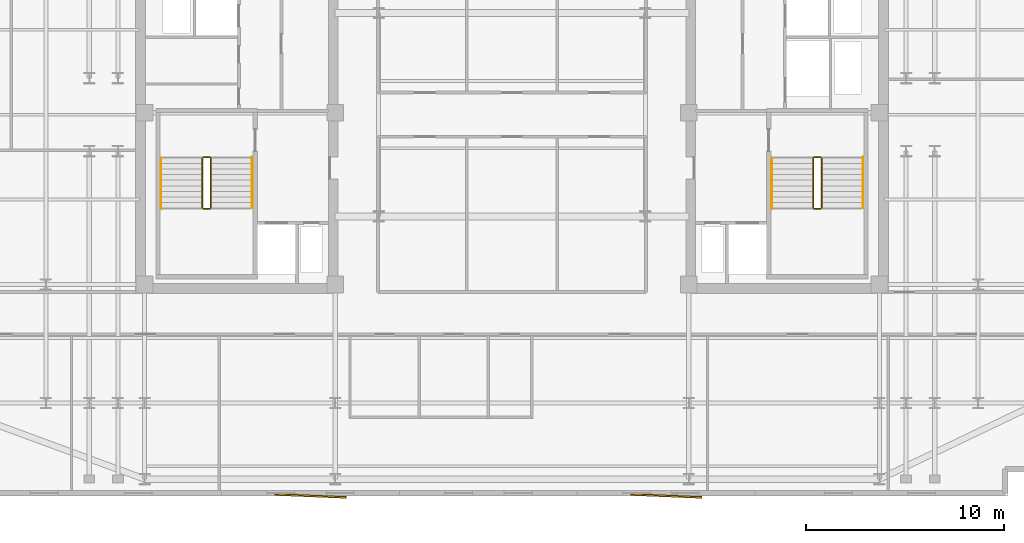
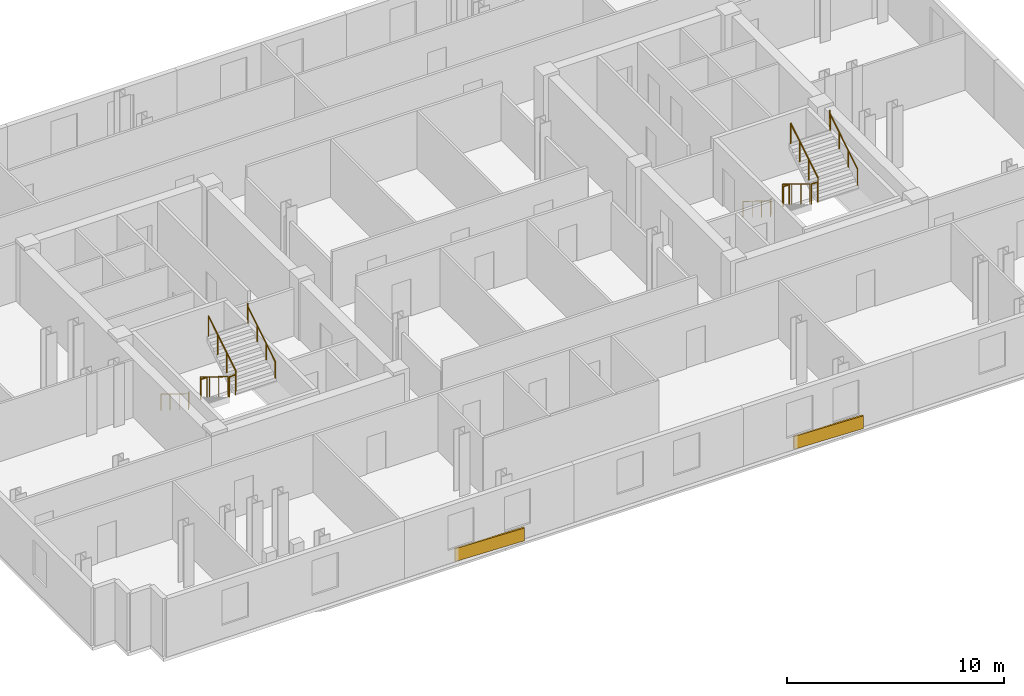
# One storey, part 8 of 9: 12 railings, 2 coverings.
"""IFC4 building model written with IfcOpenShell, lengths in metres."""

from ifc_helpers import new_model, si_unit, direction, frame, origin, origin_2d, place, context, subcontext, project, spatial, rectangle, circle, extrude, material, layer, layer_set, type_object, element, save


model = new_model("IFC4")

# Units and contexts
model_context = context("Model", 3, precision=1e-05, world=origin(), true_north=direction((0.0, 1.0)))
body_context = subcontext(model_context, "Body", "Model", "MODEL_VIEW")
ifc_project = project(units=[si_unit("LENGTHUNIT", "METRE"), si_unit("AREAUNIT", "SQUARE_METRE"), si_unit("VOLUMEUNIT", "CUBIC_METRE"), si_unit("PLANEANGLEUNIT", "RADIAN"), si_unit("MASSUNIT", "GRAM", prefix="KILO")], contexts=[model_context])

# Site, building, storey
site_placement = place(None, origin())
site = spatial("IfcSite", under=ifc_project, at=site_placement, CompositionType="ELEMENT")
building_placement = place(site_placement, origin())
building = spatial("IfcBuilding", under=site, at=building_placement, Name="Velakula Bourse", CompositionType="ELEMENT")
storey_placement = place(building_placement, frame((0.0, 0.0, 229.199951171875)))
storey = spatial("IfcBuildingStorey", under=building, at=storey_placement, Name="L62", CompositionType="ELEMENT", Elevation=229.199951171875)

# Coverings
ifc_material_1 = material(Name="Red kilned clay facing brick masonry", Category="masonry")
ifc_layer = layer(ifc_material_1, 0.090087890625, Name="Red kilned clay facing brick masonry", Category="masonry")
ifc_layer_set = layer_set([ifc_layer], Name="Red kilned clay facing brick masonry")
covering_type = type_object("IfcCoveringType", Name="COV-BRK-FOLD-90", PredefinedType="CLADDING", material=ifc_layer_set)
for number, where, z_axis, x_axis, name in (
    (1, (-10.199951171875, -19.300048828125, 0.0), (0.0, 0.0, 1.0), (0.999158993058, -0.041003738744, 0.0), "L62 Folded Brick Facade Cladding Panel S-B2"),
    (2, (7.800048828125, -19.300048828125, 0.0), (0.0, 0.0, 1.0), (0.999158993058, -0.041003738744, 0.0), "L62 Folded Brick Facade Cladding Panel S-B4"),
):
    element("IfcCovering", number, at=place(storey_placement, frame(where, z_axis=z_axis, x_axis=x_axis)), inside=storey, type_object=covering_type, Name=name, PredefinedType="CLADDING", context=body_context, shape_type="SweptSolid", body=[
        extrude(rectangle(XDim=3.60009765625, YDim=0.090087890625, at=origin_2d()), origin(), (0.0, 0.0, 1.0), 0.719970703125),
    ])

# Railings
ifc_material_2 = material(Name="Brushed grade 316 stainless steel", Category="steel")
railing_type_1 = type_object("IfcRailingType", Name="RLG-STAIR-GUARD-1150", PredefinedType="BALUSTRADE", material=ifc_material_2)
railing_1_placement = place(storey_placement, frame((-15.672119140625, -2.199951171875, 0.172607421875)))
element("IfcRailing", 3, at=railing_1_placement, inside=storey, type_object=railing_type_1, Name="L62 ST-W1 stair guard 1", PredefinedType="BALUSTRADE", context=body_context, shape_type="SweptSolid", body=[
    extrude(circle(Radius=0.02490234375, at=origin_2d()), frame((0.0, 0.0, 1.125), z_axis=(0.0, -0.851400495292, 0.524516154772), x_axis=(1.0, 0.0, 0.0)), (0.0, 0.0, 1.0), 2.9599609375),
    extrude(circle(Radius=0.02099609375, at=origin_2d()), origin(), (0.0, 0.0, 1.0), 1.099853515625),
    extrude(circle(Radius=0.02099609375, at=origin_2d()), frame((0.0, -0.840087890625, 0.517578125)), (0.0, 0.0, 1.0), 1.099853515625),
    extrude(circle(Radius=0.02099609375, at=origin_2d()), frame((0.0, -1.679931640625, 1.034912109375)), (0.0, 0.0, 1.0), 1.099853515625),
    extrude(circle(Radius=0.02099609375, at=origin_2d()), frame((0.0, -2.52001953125, 1.552490234375)), (0.0, 0.0, 1.0), 1.099853515625),
])
railing_2_placement = place(storey_placement, frame((-15.6220703125, -4.77001953125, 1.72509765625)))
element("IfcRailing", 4, at=railing_2_placement, inside=storey, type_object=railing_type_1, Name="L62 ST-W1 stair guard 2", PredefinedType="BALUSTRADE", context=body_context, shape_type="SweptSolid", body=[
    extrude(circle(Radius=0.02490234375, at=origin_2d()), frame((0.0, 0.0, 1.125), z_axis=(1.0, 0.0, 0.0), x_axis=(0.0, 1.0, 0.0)), (0.0, 0.0, 1.0), 0.323974609375),
    extrude(circle(Radius=0.02099609375, at=origin_2d()), origin(), (0.0, 0.0, 1.0), 1.099853515625),
    extrude(circle(Radius=0.02099609375, at=origin_2d()), frame((0.323974609375, 0.0, 0.0)), (0.0, 0.0, 1.0), 1.099853515625),
])
railing_3_placement = place(storey_placement, frame((-15.248046875, -4.719970703125, 1.8974609375)))
element("IfcRailing", 5, at=railing_3_placement, inside=storey, type_object=railing_type_1, Name="L62 ST-W1 stair guard 3", PredefinedType="BALUSTRADE", context=body_context, shape_type="SweptSolid", body=[
    extrude(circle(Radius=0.02490234375, at=origin_2d()), frame((0.0, 0.0, 1.125), z_axis=(0.0, 0.851400495292, 0.524516154772), x_axis=(-1.0, 0.0, 0.0)), (0.0, 0.0, 1.0), 2.9599609375),
    extrude(circle(Radius=0.02099609375, at=origin_2d()), origin(), (0.0, 0.0, 1.0), 1.099853515625),
    extrude(circle(Radius=0.02099609375, at=origin_2d()), frame((0.0, 0.840087890625, 0.517578125)), (0.0, 0.0, 1.0), 1.099853515625),
    extrude(circle(Radius=0.02099609375, at=origin_2d()), frame((0.0, 1.679931640625, 1.034912109375)), (0.0, 0.0, 1.0), 1.099853515625),
    extrude(circle(Radius=0.02099609375, at=origin_2d()), frame((0.0, 2.52001953125, 1.552490234375)), (0.0, 0.0, 1.0), 1.099853515625),
])
railing_4_placement = place(storey_placement, frame((-15.6220703125, -2.14990234375, 0.0)))
element("IfcRailing", 6, at=railing_4_placement, inside=storey, type_object=railing_type_1, Name="L62 ST-W1 stair guard 4", PredefinedType="BALUSTRADE", context=body_context, shape_type="SweptSolid", body=[
    extrude(circle(Radius=0.02490234375, at=origin_2d()), frame((0.0, 0.0, 1.125), z_axis=(1.0, 0.0, 0.0), x_axis=(0.0, 1.0, 0.0)), (0.0, 0.0, 1.0), 0.323974609375),
    extrude(circle(Radius=0.02099609375, at=origin_2d()), origin(), (0.0, 0.0, 1.0), 1.099853515625),
    extrude(circle(Radius=0.02099609375, at=origin_2d()), frame((0.323974609375, 0.0, 0.0)), (0.0, 0.0, 1.0), 1.099853515625),
])
railing_5_placement = place(storey_placement, frame((15.248046875, -2.199951171875, 0.172607421875)))
element("IfcRailing", 7, at=railing_5_placement, inside=storey, type_object=railing_type_1, Name="L62 ST-E1 stair guard 1", PredefinedType="BALUSTRADE", context=body_context, shape_type="SweptSolid", body=[
    extrude(circle(Radius=0.02490234375, at=origin_2d()), frame((0.0, 0.0, 1.125), z_axis=(0.0, -0.851400495292, 0.524516154772), x_axis=(1.0, 0.0, 0.0)), (0.0, 0.0, 1.0), 2.9599609375),
    extrude(circle(Radius=0.02099609375, at=origin_2d()), origin(), (0.0, 0.0, 1.0), 1.099853515625),
    extrude(circle(Radius=0.02099609375, at=origin_2d()), frame((0.0, -0.840087890625, 0.517578125)), (0.0, 0.0, 1.0), 1.099853515625),
    extrude(circle(Radius=0.02099609375, at=origin_2d()), frame((0.0, -1.679931640625, 1.034912109375)), (0.0, 0.0, 1.0), 1.099853515625),
    extrude(circle(Radius=0.02099609375, at=origin_2d()), frame((0.0, -2.52001953125, 1.552490234375)), (0.0, 0.0, 1.0), 1.099853515625),
])
railing_6_placement = place(storey_placement, frame((15.298095703125, -4.77001953125, 1.72509765625)))
element("IfcRailing", 8, at=railing_6_placement, inside=storey, type_object=railing_type_1, Name="L62 ST-E1 stair guard 2", PredefinedType="BALUSTRADE", context=body_context, shape_type="SweptSolid", body=[
    extrude(circle(Radius=0.02490234375, at=origin_2d()), frame((0.0, 0.0, 1.125), z_axis=(1.0, 0.0, 0.0), x_axis=(0.0, 1.0, 0.0)), (0.0, 0.0, 1.0), 0.323974609375),
    extrude(circle(Radius=0.02099609375, at=origin_2d()), origin(), (0.0, 0.0, 1.0), 1.099853515625),
    extrude(circle(Radius=0.02099609375, at=origin_2d()), frame((0.323974609375, 0.0, 0.0)), (0.0, 0.0, 1.0), 1.099853515625),
])
railing_7_placement = place(storey_placement, frame((15.672119140625, -4.719970703125, 1.8974609375)))
element("IfcRailing", 9, at=railing_7_placement, inside=storey, type_object=railing_type_1, Name="L62 ST-E1 stair guard 3", PredefinedType="BALUSTRADE", context=body_context, shape_type="SweptSolid", body=[
    extrude(circle(Radius=0.02490234375, at=origin_2d()), frame((0.0, 0.0, 1.125), z_axis=(0.0, 0.851400495292, 0.524516154772), x_axis=(-1.0, 0.0, 0.0)), (0.0, 0.0, 1.0), 2.9599609375),
    extrude(circle(Radius=0.02099609375, at=origin_2d()), origin(), (0.0, 0.0, 1.0), 1.099853515625),
    extrude(circle(Radius=0.02099609375, at=origin_2d()), frame((0.0, 0.840087890625, 0.517578125)), (0.0, 0.0, 1.0), 1.099853515625),
    extrude(circle(Radius=0.02099609375, at=origin_2d()), frame((0.0, 1.679931640625, 1.034912109375)), (0.0, 0.0, 1.0), 1.099853515625),
    extrude(circle(Radius=0.02099609375, at=origin_2d()), frame((0.0, 2.52001953125, 1.552490234375)), (0.0, 0.0, 1.0), 1.099853515625),
])
railing_8_placement = place(storey_placement, frame((15.298095703125, -2.14990234375, 0.0)))
element("IfcRailing", 10, at=railing_8_placement, inside=storey, type_object=railing_type_1, Name="L62 ST-E1 stair guard 4", PredefinedType="BALUSTRADE", context=body_context, shape_type="SweptSolid", body=[
    extrude(circle(Radius=0.02490234375, at=origin_2d()), frame((0.0, 0.0, 1.125), z_axis=(1.0, 0.0, 0.0), x_axis=(0.0, 1.0, 0.0)), (0.0, 0.0, 1.0), 0.323974609375),
    extrude(circle(Radius=0.02099609375, at=origin_2d()), origin(), (0.0, 0.0, 1.0), 1.099853515625),
    extrude(circle(Radius=0.02099609375, at=origin_2d()), frame((0.323974609375, 0.0, 0.0)), (0.0, 0.0, 1.0), 1.099853515625),
])
railing_type_2 = type_object("IfcRailingType", Name="RLG-STAIR-HAND-920", PredefinedType="HANDRAIL", material=ifc_material_2)
railing_9_placement = place(storey_placement, frame((-17.77001953125, -2.199951171875, 0.172607421875)))
element("IfcRailing", 11, at=railing_9_placement, inside=storey, type_object=railing_type_2, Name="L62 ST-W1 stair handrail 1", PredefinedType="HANDRAIL", context=body_context, shape_type="SweptSolid", body=[
    extrude(circle(Radius=0.02099609375, at=origin_2d()), frame((0.0, 0.0, 0.89892578125), z_axis=(0.0, -0.851400495292, 0.524516154772), x_axis=(1.0, 0.0, 0.0)), (0.0, 0.0, 1.0), 2.9599609375),
    extrude(circle(Radius=0.02099609375, at=origin_2d()), frame((0.0, -2.52001953125, 2.451416015625), z_axis=(0.0, -0.226269970362, 0.974064628509), x_axis=(1.0, 0.0, 0.0)), (0.0, 0.0, 1.0), 0.177001953125),
    extrude(circle(Radius=0.02099609375, at=origin_2d()), frame((0.0, -2.56005859375, 2.623779296875), z_axis=(0.0, -1.0, 0.0), x_axis=(1.0, 0.0, 0.0)), (0.0, 0.0, 1.0), 0.0048828125),
    extrude(circle(Radius=0.02099609375, at=origin_2d()), origin(), (0.0, 0.0, 1.0), 0.8779296875),
    extrude(circle(Radius=0.02099609375, at=origin_2d()), frame((0.0, -0.840087890625, 0.517578125)), (0.0, 0.0, 1.0), 0.8779296875),
    extrude(circle(Radius=0.02099609375, at=origin_2d()), frame((0.0, -1.679931640625, 1.034912109375)), (0.0, 0.0, 1.0), 0.8779296875),
    extrude(circle(Radius=0.02099609375, at=origin_2d()), frame((0.0, -2.52001953125, 1.552490234375)), (0.0, 0.0, 1.0), 0.8779296875),
    extrude(circle(Radius=0.02099609375, at=origin_2d()), frame((0.0, -2.56005859375, 1.724853515625)), (0.0, 0.0, 1.0), 0.8779296875),
    extrude(circle(Radius=0.02099609375, at=origin_2d()), frame((0.0, -2.56494140625, 1.724853515625)), (0.0, 0.0, 1.0), 0.8779296875),
])
railing_10_placement = place(storey_placement, frame((-13.14990234375, -4.719970703125, 1.8974609375)))
element("IfcRailing", 12, at=railing_10_placement, inside=storey, type_object=railing_type_2, Name="L62 ST-W1 stair handrail 2", PredefinedType="HANDRAIL", context=body_context, shape_type="SweptSolid", body=[
    extrude(circle(Radius=0.02099609375, at=origin_2d()), frame((0.0, 0.0, 0.89892578125), z_axis=(0.0, 0.851400495292, 0.524516154772), x_axis=(-1.0, 0.0, 0.0)), (0.0, 0.0, 1.0), 2.9599609375),
    extrude(circle(Radius=0.02099609375, at=origin_2d()), frame((0.0, 2.52001953125, 2.451416015625), z_axis=(0.0, 0.22596628056, 0.974135124123), x_axis=(-1.0, 0.0, 0.0)), (0.0, 0.0, 1.0), 0.17724609375),
    extrude(circle(Radius=0.02099609375, at=origin_2d()), frame((0.0, 2.56005859375, 2.6240234375), z_axis=(0.0, 1.0, 0.0), x_axis=(-1.0, 0.0, 0.0)), (0.0, 0.0, 1.0), 0.0048828125),
    extrude(circle(Radius=0.02099609375, at=origin_2d()), origin(), (0.0, 0.0, 1.0), 0.8779296875),
    extrude(circle(Radius=0.02099609375, at=origin_2d()), frame((0.0, 0.840087890625, 0.517578125)), (0.0, 0.0, 1.0), 0.8779296875),
    extrude(circle(Radius=0.02099609375, at=origin_2d()), frame((0.0, 1.679931640625, 1.034912109375)), (0.0, 0.0, 1.0), 0.8779296875),
    extrude(circle(Radius=0.02099609375, at=origin_2d()), frame((0.0, 2.52001953125, 1.552490234375)), (0.0, 0.0, 1.0), 0.8779296875),
    extrude(circle(Radius=0.02099609375, at=origin_2d()), frame((0.0, 2.56005859375, 1.72509765625)), (0.0, 0.0, 1.0), 0.8779296875),
    extrude(circle(Radius=0.02099609375, at=origin_2d()), frame((0.0, 2.56494140625, 1.72509765625)), (0.0, 0.0, 1.0), 0.8779296875),
])
railing_11_placement = place(storey_placement, frame((13.14990234375, -2.199951171875, 0.172607421875)))
element("IfcRailing", 13, at=railing_11_placement, inside=storey, type_object=railing_type_2, Name="L62 ST-E1 stair handrail 1", PredefinedType="HANDRAIL", context=body_context, shape_type="SweptSolid", body=[
    extrude(circle(Radius=0.02099609375, at=origin_2d()), frame((0.0, 0.0, 0.89892578125), z_axis=(0.0, -0.851400495292, 0.524516154772), x_axis=(1.0, 0.0, 0.0)), (0.0, 0.0, 1.0), 2.9599609375),
    extrude(circle(Radius=0.02099609375, at=origin_2d()), frame((0.0, -2.52001953125, 2.451416015625), z_axis=(0.0, -0.226269970362, 0.974064628509), x_axis=(1.0, 0.0, 0.0)), (0.0, 0.0, 1.0), 0.177001953125),
    extrude(circle(Radius=0.02099609375, at=origin_2d()), frame((0.0, -2.56005859375, 2.623779296875), z_axis=(0.0, -1.0, 0.0), x_axis=(1.0, 0.0, 0.0)), (0.0, 0.0, 1.0), 0.0048828125),
    extrude(circle(Radius=0.02099609375, at=origin_2d()), origin(), (0.0, 0.0, 1.0), 0.8779296875),
    extrude(circle(Radius=0.02099609375, at=origin_2d()), frame((0.0, -0.840087890625, 0.517578125)), (0.0, 0.0, 1.0), 0.8779296875),
    extrude(circle(Radius=0.02099609375, at=origin_2d()), frame((0.0, -1.679931640625, 1.034912109375)), (0.0, 0.0, 1.0), 0.8779296875),
    extrude(circle(Radius=0.02099609375, at=origin_2d()), frame((0.0, -2.52001953125, 1.552490234375)), (0.0, 0.0, 1.0), 0.8779296875),
    extrude(circle(Radius=0.02099609375, at=origin_2d()), frame((0.0, -2.56005859375, 1.724853515625)), (0.0, 0.0, 1.0), 0.8779296875),
    extrude(circle(Radius=0.02099609375, at=origin_2d()), frame((0.0, -2.56494140625, 1.724853515625)), (0.0, 0.0, 1.0), 0.8779296875),
])
railing_12_placement = place(storey_placement, frame((17.77001953125, -4.719970703125, 1.8974609375)))
element("IfcRailing", 14, at=railing_12_placement, inside=storey, type_object=railing_type_2, Name="L62 ST-E1 stair handrail 2", PredefinedType="HANDRAIL", context=body_context, shape_type="SweptSolid", body=[
    extrude(circle(Radius=0.02099609375, at=origin_2d()), frame((0.0, 0.0, 0.89892578125), z_axis=(0.0, 0.851400495292, 0.524516154772), x_axis=(-1.0, 0.0, 0.0)), (0.0, 0.0, 1.0), 2.9599609375),
    extrude(circle(Radius=0.02099609375, at=origin_2d()), frame((0.0, 2.52001953125, 2.451416015625), z_axis=(0.0, 0.22596628056, 0.974135124123), x_axis=(-1.0, 0.0, 0.0)), (0.0, 0.0, 1.0), 0.17724609375),
    extrude(circle(Radius=0.02099609375, at=origin_2d()), frame((0.0, 2.56005859375, 2.6240234375), z_axis=(0.0, 1.0, 0.0), x_axis=(-1.0, 0.0, 0.0)), (0.0, 0.0, 1.0), 0.0048828125),
    extrude(circle(Radius=0.02099609375, at=origin_2d()), origin(), (0.0, 0.0, 1.0), 0.8779296875),
    extrude(circle(Radius=0.02099609375, at=origin_2d()), frame((0.0, 0.840087890625, 0.517578125)), (0.0, 0.0, 1.0), 0.8779296875),
    extrude(circle(Radius=0.02099609375, at=origin_2d()), frame((0.0, 1.679931640625, 1.034912109375)), (0.0, 0.0, 1.0), 0.8779296875),
    extrude(circle(Radius=0.02099609375, at=origin_2d()), frame((0.0, 2.52001953125, 1.552490234375)), (0.0, 0.0, 1.0), 0.8779296875),
    extrude(circle(Radius=0.02099609375, at=origin_2d()), frame((0.0, 2.56005859375, 1.72509765625)), (0.0, 0.0, 1.0), 0.8779296875),
    extrude(circle(Radius=0.02099609375, at=origin_2d()), frame((0.0, 2.56494140625, 1.72509765625)), (0.0, 0.0, 1.0), 0.8779296875),
])

save(model, "model.ifc")
